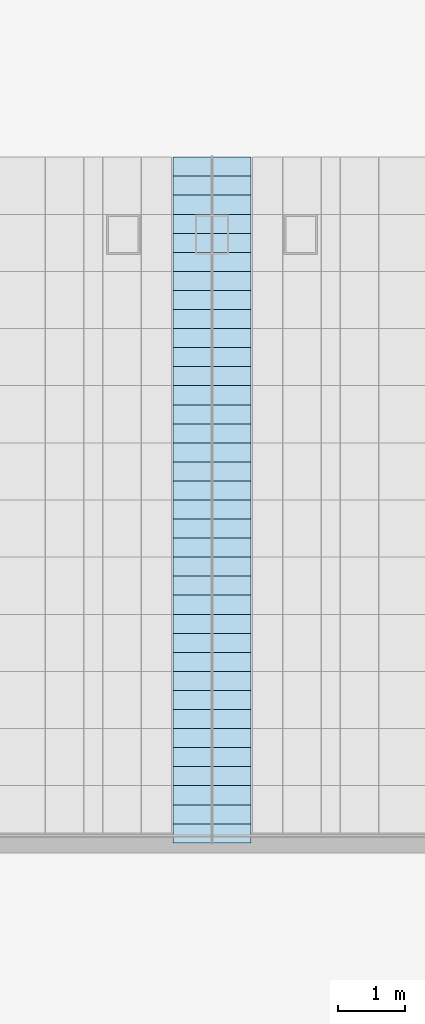
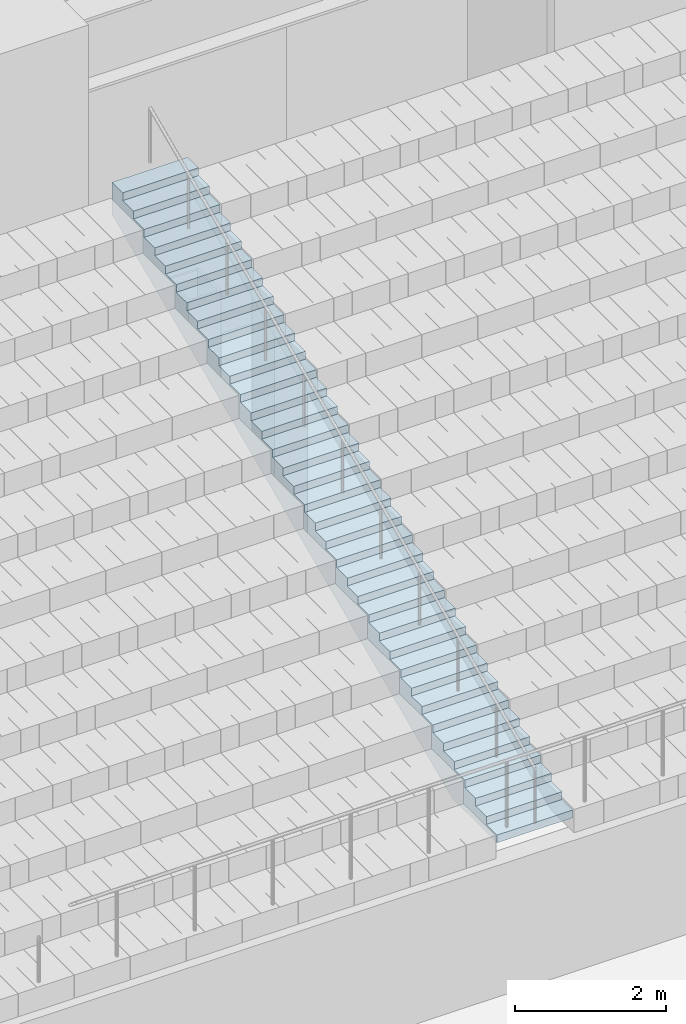
# One storey, part 26 of 62: 1 slab.
"""IFC4 building model written with IfcOpenShell, lengths in metres."""

from ifc_helpers import new_model, si_unit, direction, frame, origin, place, context, subcontext, project, spatial, polyline, outline, extrude, material, layer, layer_set, type_object, element, save


model = new_model("IFC4")

# Units and contexts
model_context = context("Model", 3, precision=1e-05, world=origin(), true_north=direction((0.0, 1.0)))
body_context = subcontext(model_context, "Body", "Model", "MODEL_VIEW")
ifc_project = project(units=[si_unit("LENGTHUNIT", "METRE"), si_unit("AREAUNIT", "SQUARE_METRE"), si_unit("VOLUMEUNIT", "CUBIC_METRE"), si_unit("PLANEANGLEUNIT", "RADIAN"), si_unit("MASSUNIT", "GRAM", prefix="KILO")], contexts=[model_context])

# Site, building, storey
site_placement = place(None, origin())
site = spatial("IfcSite", under=ifc_project, at=site_placement, CompositionType="ELEMENT")
building_placement = place(site_placement, origin())
building = spatial("IfcBuilding", under=site, at=building_placement, Name="Corbelhall Arena Tower", CompositionType="ELEMENT")
storey_placement = place(building_placement, frame((0.0, 0.0, 12.0)))
storey = spatial("IfcBuildingStorey", under=building, at=storey_placement, Name="L01", CompositionType="ELEMENT", Elevation=12.0)

# Slab
ifc_material = material(Name="Precast concrete C40/50", Category="concrete")
ifc_layer = layer(ifc_material, 0.25)
ifc_layer_set = layer_set([ifc_layer], Name="AISLE STEPS (BC 1029)")
slab_type = type_object("IfcSlabType", Name="AISLE STEPS (BC 1029)", PredefinedType="FLOOR", material=ifc_layer_set)
slab_placement = place(storey_placement, frame((6.6201171875, 15.14990234375, 2.375), z_axis=(0.0, 0.0, 1.0), x_axis=(0.0, 1.0, 0.0)))
element("IfcSlab", 1, at=slab_placement, inside=storey, type_object=slab_type, Name="Aisle steps LN-AIS3", PredefinedType="FLOOR", context=body_context, shape_type="SweptSolid", body=[
    extrude(outline(polyline([(0.0, 0.0), (0.0, 0.125), (0.283447265625, 0.125), (0.283447265625, 0.25), (0.566650390625, 0.25), (0.566650390625, 0.375), (0.85009765625, 0.375), (0.85009765625, 0.5), (1.13330078125, 0.5), (1.13330078125, 0.625), (1.416748046875, 0.625), (1.416748046875, 0.75), (1.699951171875, 0.75), (1.699951171875, 0.875), (1.9833984375, 0.875), (1.9833984375, 1.0), (2.2666015625, 1.0), (2.2666015625, 1.125), (2.550048828125, 1.125), (2.550048828125, 1.25), (2.833251953125, 1.25), (2.833251953125, 1.375), (3.11669921875, 1.375), (3.11669921875, 1.5), (3.39990234375, 1.5), (3.39990234375, 1.625), (3.683349609375, 1.625), (3.683349609375, 1.75), (3.966552734375, 1.75), (3.966552734375, 1.875), (4.25, 1.875), (4.25, 2.0), (4.533447265625, 2.0), (4.533447265625, 2.125), (4.816650390625, 2.125), (4.816650390625, 2.25), (5.10009765625, 2.25), (5.10009765625, 2.375), (5.38330078125, 2.375), (5.38330078125, 2.5), (5.666748046875, 2.5), (5.666748046875, 2.625), (5.949951171875, 2.625), (5.949951171875, 2.75), (6.2333984375, 2.75), (6.2333984375, 2.875), (6.5166015625, 2.875), (6.5166015625, 3.0), (6.800048828125, 3.0), (6.800048828125, 3.125), (7.083251953125, 3.125), (7.083251953125, 3.25), (7.36669921875, 3.25), (7.36669921875, 3.375), (7.64990234375, 3.375), (7.64990234375, 3.5), (7.933349609375, 3.5), (7.933349609375, 3.625), (8.216552734375, 3.625), (8.216552734375, 3.75), (8.5, 3.75), (8.5, 3.875), (8.783203125, 3.875), (8.783203125, 4.0), (9.066650390625, 4.0), (9.066650390625, 4.125), (9.35009765625, 4.125), (9.35009765625, 4.25), (9.63330078125, 4.25), (9.63330078125, 4.375), (9.916748046875, 4.375), (9.916748046875, 4.5), (10.199951171875, 4.5), (10.199951171875, 4.625), (10.199951171875, 3.976806640625), (1.18603515625, 0.0), (0.0, 0.0)])), frame((0.0, 0.580078125, 0.0), z_axis=(0.0, -1.0, 0.0), x_axis=(1.0, 0.0, 0.0)), (0.0, 0.0, 1.0), 1.159912109375),
])

save(model, "model.ifc")
